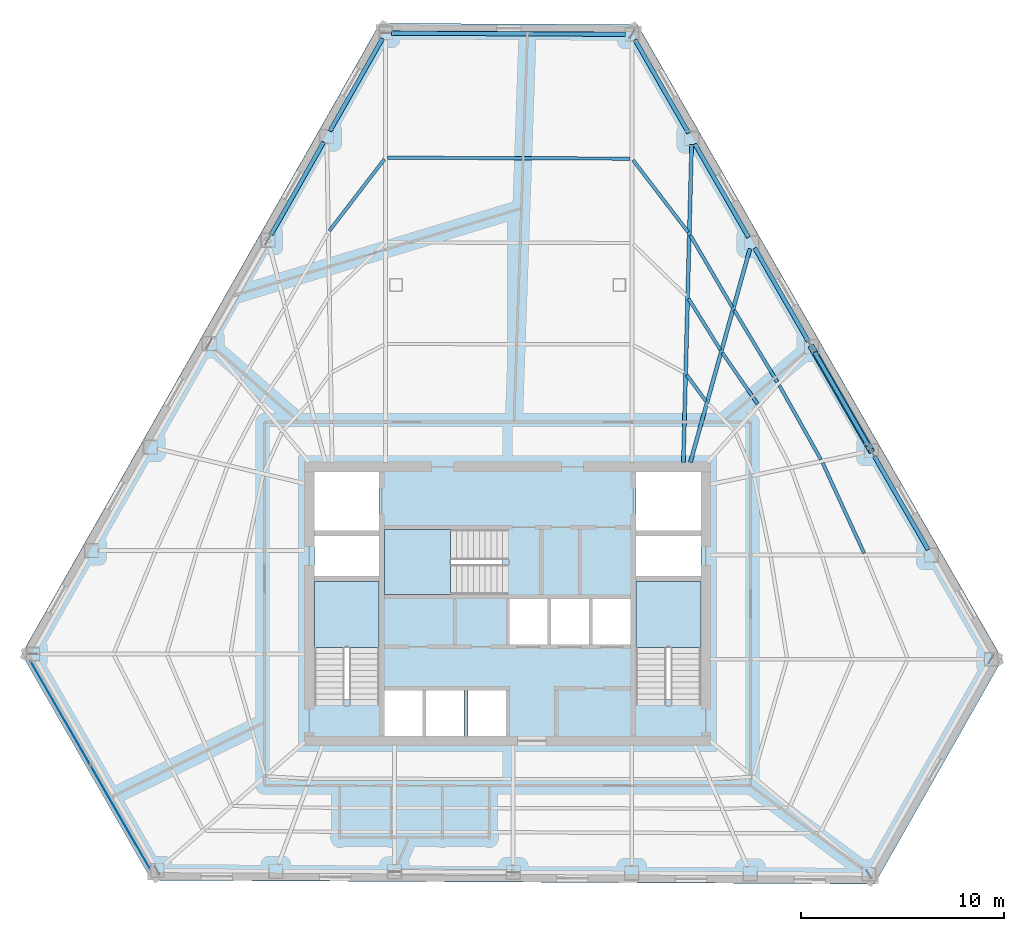
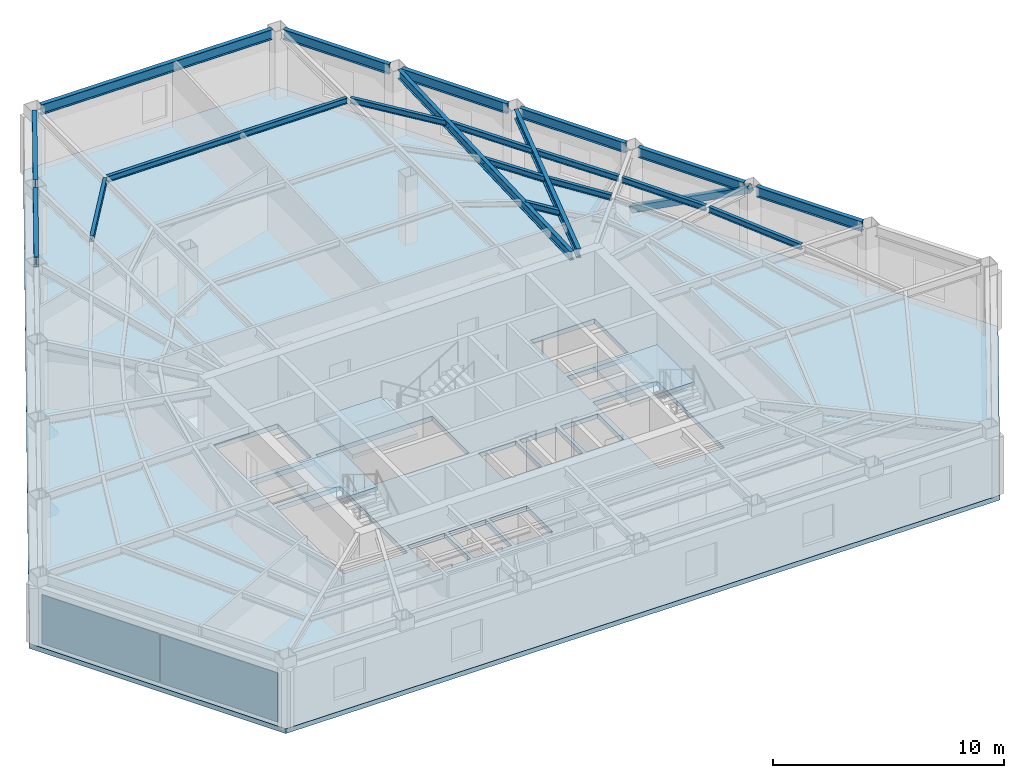
# One storey, part 4 of 13: 20 beams, 4 slabs, 2 plates, 1 member, 4 elements without a shape of their own.
"""IFC4 building model written with IfcOpenShell, lengths in metres."""

from ifc_helpers import new_model, si_unit, direction, frame, origin, origin_2d, place, context, subcontext, project, spatial, polyline, rectangle, hollow_rectangle, i_section, outline, extrude, material, layer, layer_set, material_profile, profile_set, type_object, element, aggregate, save


model = new_model("IFC4")

# Units and contexts
model_context = context("Model", 3, precision=1e-05, world=origin(), true_north=direction((0.0, 1.0)))
body_context = subcontext(model_context, "Body", "Model", "MODEL_VIEW")
ifc_project = project(units=[si_unit("LENGTHUNIT", "METRE"), si_unit("AREAUNIT", "SQUARE_METRE"), si_unit("VOLUMEUNIT", "CUBIC_METRE"), si_unit("PLANEANGLEUNIT", "RADIAN"), si_unit("MASSUNIT", "GRAM", prefix="KILO")], contexts=[model_context])

# Site, building, storey
site_placement = place(None, origin())
site = spatial("IfcSite", under=ifc_project, at=site_placement, CompositionType="ELEMENT")
building_placement = place(site_placement, origin())
building = spatial("IfcBuilding", under=site, at=building_placement, Name="Kavelnor Concourse Tower", CompositionType="ELEMENT")
storey_placement = place(building_placement, frame((0.0, 0.0, 100.89990234375)))
storey = spatial("IfcBuildingStorey", under=building, at=storey_placement, Name="L25", CompositionType="ELEMENT", Elevation=100.89990234375)

# Beams
ifc_material_1 = material(Name="Steel Grade 350", Category="steel")
ifc_material_profile_1 = material_profile(ifc_material_1, i_section(OverallWidth=0.166015625, OverallDepth=0.306884765625, WebThickness=0.006591796875, FlangeThickness=0.01171875, at=origin_2d()), Name="310UB46")
ifc_profile_set_1 = profile_set([ifc_material_profile_1], Name="Steel Grade 350")
beam_type_1 = type_object("IfcBeamType", Name="BM-JOIST-310", PredefinedType="JOIST", material=ifc_profile_set_1)
beam_1_placement = place(storey_placement, frame((55.5625, 18.581787109375, 3.446533203125), z_axis=(-0.417382504058, 0.90873089818, 0.0), x_axis=(-0.90873089818, -0.417382504058, 0.0)))
element("IfcBeam", 1, at=beam_1_placement, inside=storey, type_object=beam_type_1, Name="L25 Secondary Composite Joist 10-3", PredefinedType="JOIST", context=body_context, shape_type="SweptSolid", body=[
    extrude(i_section(OverallWidth=0.166015625, OverallDepth=0.306884765625, WebThickness=0.006591796875, FlangeThickness=0.01171875, at=origin_2d()), origin(), (0.0, 0.0, 1.0), 4.908203125),
])
beam_2_placement = place(storey_placement, frame((53.433349609375, 23.20068359375, 3.446533203125), z_axis=(-0.489388988675, 0.872065604048, 0.0), x_axis=(-0.872065604048, -0.489388988675, 0.0)))
element("IfcBeam", 2, at=beam_2_placement, inside=storey, type_object=beam_type_1, Name="L25 Secondary Composite Joist 11-3", PredefinedType="JOIST", context=body_context, shape_type="SweptSolid", body=[
    extrude(i_section(OverallWidth=0.166015625, OverallDepth=0.306884765625, WebThickness=0.006591796875, FlangeThickness=0.01171875, at=origin_2d()), origin(), (0.0, 0.0, 1.0), 4.200439453125),
])
beam_3_placement = place(storey_placement, frame((50.31640625, 25.939453125, 3.446533203125), z_axis=(-0.568057043562, 0.822989182954, 0.0), x_axis=(-0.822989182954, -0.568057043562, 0.0)))
element("IfcBeam", 3, at=beam_3_placement, inside=storey, type_object=beam_type_1, Name="L25 Secondary Composite Joist 12-2", PredefinedType="JOIST", context=body_context, shape_type="SweptSolid", body=[
    extrude(i_section(OverallWidth=0.166015625, OverallDepth=0.306884765625, WebThickness=0.006591796875, FlangeThickness=0.01171875, at=origin_2d()), origin(), (0.0, 0.0, 1.0), 3.062744140625),
])
beam_4_placement = place(storey_placement, frame((51.288330078125, 27.017578125, 3.446533203125), z_axis=(-0.515060120998, 0.85715405369, 0.0), x_axis=(-0.85715405369, -0.515060120998, 0.0)))
element("IfcBeam", 4, at=beam_4_placement, inside=storey, type_object=beam_type_1, Name="L25 Secondary Composite Joist 12-3", PredefinedType="JOIST", context=body_context, shape_type="SweptSolid", body=[
    extrude(i_section(OverallWidth=0.166015625, OverallDepth=0.306884765625, WebThickness=0.006591796875, FlangeThickness=0.01171875, at=origin_2d()), origin(), (0.0, 0.0, 1.0), 4.13427734375),
])
beam_5_placement = place(storey_placement, frame((47.76904296875, 26.07958984375, 3.446533203125), z_axis=(-0.591231466812, 0.806501923526, 0.0), x_axis=(-0.806501923526, -0.591231466812, 0.0)))
element("IfcBeam", 5, at=beam_5_placement, inside=storey, type_object=beam_type_1, Name="L25 Secondary Composite Joist 13-1", PredefinedType="JOIST", context=body_context, shape_type="SweptSolid", body=[
    extrude(i_section(OverallWidth=0.166015625, OverallDepth=0.306884765625, WebThickness=0.006591796875, FlangeThickness=0.01171875, at=origin_2d()), origin(), (0.0, 0.0, 1.0), 1.601318359375),
])
beam_6_placement = place(storey_placement, frame((48.47900390625, 28.608642578125, 3.446533203125), z_axis=(-0.528101194385, 0.849181446152, 0.0), x_axis=(-0.849181446152, -0.528101194385, 0.0)))
element("IfcBeam", 6, at=beam_6_placement, inside=storey, type_object=beam_type_1, Name="L25 Secondary Composite Joist 13-2", PredefinedType="JOIST", context=body_context, shape_type="SweptSolid", body=[
    extrude(i_section(OverallWidth=0.166015625, OverallDepth=0.306884765625, WebThickness=0.006591796875, FlangeThickness=0.01171875, at=origin_2d()), origin(), (0.0, 0.0, 1.0), 2.96240234375),
])
beam_7_placement = place(storey_placement, frame((49.068115234375, 30.71435546875, 3.446533203125), z_axis=(-0.505575920492, 0.862782121174, 0.0), x_axis=(-0.862782121174, -0.505575920492, 0.0)))
element("IfcBeam", 7, at=beam_7_placement, inside=storey, type_object=beam_type_1, Name="L25 Secondary Composite Joist 13-3", PredefinedType="JOIST", context=body_context, shape_type="SweptSolid", body=[
    extrude(i_section(OverallWidth=0.166015625, OverallDepth=0.306884765625, WebThickness=0.006591796875, FlangeThickness=0.01171875, at=origin_2d()), origin(), (0.0, 0.0, 1.0), 4.102294921875),
])
beam_8_placement = place(storey_placement, frame((46.89501953125, 34.401123046875, 3.446533203125), z_axis=(-0.607764194886, 0.794117550124, 0.0), x_axis=(-0.794117550124, -0.607764194886, 0.0)))
element("IfcBeam", 8, at=beam_8_placement, inside=storey, type_object=beam_type_1, Name="L25 Secondary Composite Joist 14-3", PredefinedType="JOIST", context=body_context, shape_type="SweptSolid", body=[
    extrude(i_section(OverallWidth=0.166015625, OverallDepth=0.306884765625, WebThickness=0.006591796875, FlangeThickness=0.01171875, at=origin_2d()), origin(), (0.0, 0.0, 1.0), 4.471435546875),
])
beam_9_placement = place(storey_placement, frame((44.0341796875, 38.02294921875, 3.446533203125), z_axis=(-0.99999301613, 0.003737337322, 0.0), x_axis=(-0.003737337322, -0.99999301613, 0.0)))
element("IfcBeam", 9, at=beam_9_placement, inside=storey, type_object=beam_type_1, Name="L25 Secondary Composite Joist 15-3", PredefinedType="JOIST", context=body_context, shape_type="SweptSolid", body=[
    extrude(i_section(OverallWidth=0.166015625, OverallDepth=0.306884765625, WebThickness=0.006591796875, FlangeThickness=0.01171875, at=origin_2d()), origin(), (0.0, 0.0, 1.0), 11.954345703125),
])
beam_10_placement = place(storey_placement, frame((31.9365234375, 37.997314453125, 3.446533203125), z_axis=(-0.609050102371, -0.793131749965, 0.0), x_axis=(0.793131749965, -0.609050102371, 0.0)))
element("IfcBeam", 10, at=beam_10_placement, inside=storey, type_object=beam_type_1, Name="L25 Secondary Composite Joist 16-3", PredefinedType="JOIST", context=body_context, shape_type="SweptSolid", body=[
    extrude(i_section(OverallWidth=0.166015625, OverallDepth=0.306884765625, WebThickness=0.006591796875, FlangeThickness=0.01171875, at=origin_2d()), origin(), (0.0, 0.0, 1.0), 4.4482421875),
])
ifc_material_profile_2 = material_profile(ifc_material_1, i_section(OverallWidth=0.18994140625, OverallDepth=0.4541015625, WebThickness=0.008544921875, FlangeThickness=0.0126953125, at=origin_2d()), Name="460UB67")
ifc_profile_set_2 = profile_set([ifc_material_profile_2], Name="Steel Grade 350")
beam_type_2 = type_object("IfcBeamType", Name="BM-PRIMARY-460", PredefinedType="BEAM", material=ifc_profile_set_2)
beam_11_placement = place(storey_placement, frame((46.999755859375, 23.0615234375, 3.373046875), z_axis=(0.268703010086, 0.963223075082, 0.0), x_axis=(-0.963223075082, 0.268703010086, 0.0)))
element("IfcBeam", 11, at=beam_11_placement, inside=storey, type_object=beam_type_2, Name="L25 Primary Floor Girder F2-B4", PredefinedType="BEAM", context=body_context, shape_type="SweptSolid", body=[
    extrude(i_section(OverallWidth=0.18994140625, OverallDepth=0.4541015625, WebThickness=0.008544921875, FlangeThickness=0.0126953125, at=origin_2d()), origin(), (0.0, 0.0, 1.0), 10.924072265625),
])
beam_12_placement = place(storey_placement, frame((46.655517578125, 23.06005859375, 3.373046875), z_axis=(0.026053290724, 0.99966055541, 0.0), x_axis=(-0.99966055541, 0.026053290724, 0.0)))
element("IfcBeam", 12, at=beam_12_placement, inside=storey, type_object=beam_type_2, Name="L25 Primary Floor Girder F2-B5", PredefinedType="BEAM", context=body_context, shape_type="SweptSolid", body=[
    extrude(i_section(OverallWidth=0.18994140625, OverallDepth=0.4541015625, WebThickness=0.008544921875, FlangeThickness=0.0126953125, at=origin_2d()), origin(), (0.0, 0.0, 1.0), 15.65869140625),
])
ifc_material_profile_3 = material_profile(ifc_material_1, i_section(OverallWidth=0.208984375, OverallDepth=0.532958984375, WebThickness=0.01025390625, FlangeThickness=0.015625, at=origin_2d()), Name="530UB92")
ifc_profile_set_3 = profile_set([ifc_material_profile_3], Name="Steel Grade 350")
beam_type_3 = type_object("IfcBeamType", Name="BM-SPANDREL-Z2", PredefinedType="SPANDREL", material=ifc_profile_set_3)
beam_13_placement = place(storey_placement, frame((31.840087890625, 43.939208984375, 3.33349609375), z_axis=(-0.493864017051, -0.869539149585, 0.0), x_axis=(0.869539149585, -0.493864017051, 0.0)))
element("IfcBeam", 13, at=beam_13_placement, inside=storey, type_object=beam_type_3, Name="L25 Perimeter Tube Spandrel Beam F0-B0", PredefinedType="SPANDREL", context=body_context, shape_type="SweptSolid", body=[
    extrude(i_section(OverallWidth=0.208984375, OverallDepth=0.532958984375, WebThickness=0.01025390625, FlangeThickness=0.015625, at=origin_2d()), origin(), (0.0, 0.0, 1.0), 5.2509765625),
])
beam_14_placement = place(storey_placement, frame((28.94580078125, 38.843017578125, 3.33349609375), z_axis=(-0.493879204086, -0.869530523772, 0.0), x_axis=(0.869530523772, -0.493879204086, 0.0)))
element("IfcBeam", 14, at=beam_14_placement, inside=storey, type_object=beam_type_3, Name="L25 Perimeter Tube Spandrel Beam F0-B1", PredefinedType="SPANDREL", context=body_context, shape_type="SweptSolid", body=[
    extrude(i_section(OverallWidth=0.208984375, OverallDepth=0.532958984375, WebThickness=0.01025390625, FlangeThickness=0.015625, at=origin_2d()), origin(), (0.0, 0.0, 1.0), 5.251220703125),
])
beam_15_placement = place(storey_placement, frame((43.818359375, 44.14306640625, 3.33349609375), z_axis=(-0.99998652642, 0.005191047948, 0.0), x_axis=(-0.005191047948, -0.99998652642, 0.0)))
element("IfcBeam", 15, at=beam_15_placement, inside=storey, type_object=beam_type_3, Name="L25 Chamfer Facet Spandrel Beam C0", PredefinedType="SPANDREL", context=body_context, shape_type="SweptSolid", body=[
    extrude(i_section(OverallWidth=0.208984375, OverallDepth=0.532958984375, WebThickness=0.01025390625, FlangeThickness=0.015625, at=origin_2d()), origin(), (0.0, 0.0, 1.0), 11.522705078125),
])
beam_16_placement = place(storey_placement, frame((58.7109375, 18.765380859375, 3.33349609375), z_axis=(-0.498407138833, 0.866943091535, 0.0), x_axis=(-0.866943091535, -0.498407138833, 0.0)))
element("IfcBeam", 16, at=beam_16_placement, inside=storey, type_object=beam_type_3, Name="L25 Perimeter Tube Spandrel Beam F2-B1", PredefinedType="SPANDREL", context=body_context, shape_type="SweptSolid", body=[
    extrude(i_section(OverallWidth=0.208984375, OverallDepth=0.532958984375, WebThickness=0.01025390625, FlangeThickness=0.015625, at=origin_2d()), origin(), (0.0, 0.0, 1.0), 5.304931640625),
])
for number, where, z_axis, x_axis, name in (
    (17, (55.762939453125, 23.893310546875, 3.33349609375), (-0.498332781847, 0.866985835257, 0.0), (-0.866985835257, -0.498332781847, 0.0), "L25 Perimeter Tube Spandrel Beam F2-B2"),
    (18, (52.815185546875, 29.021484375, 3.33349609375), (-0.498387254264, 0.866954522906, 0.0), (-0.866954522906, -0.498387254264, 0.0), "L25 Perimeter Tube Spandrel Beam F2-B3"),
    (19, (49.8671875, 34.149658203125, 3.33349609375), (-0.498387254264, 0.866954522906, 0.0), (-0.866954522906, -0.498387254264, 0.0), "L25 Perimeter Tube Spandrel Beam F2-B4"),
    (20, (46.919189453125, 39.27783203125, 3.33349609375), (-0.498352664623, 0.866974406579, 0.0), (-0.866974406579, -0.498352664623, 0.0), "L25 Perimeter Tube Spandrel Beam F2-B5"),
):
    element("IfcBeam", number, at=place(storey_placement, frame(where, z_axis=z_axis, x_axis=x_axis)), inside=storey, type_object=beam_type_3, Name=name, PredefinedType="SPANDREL", context=body_context, shape_type="SweptSolid", body=[
        extrude(i_section(OverallWidth=0.208984375, OverallDepth=0.532958984375, WebThickness=0.01025390625, FlangeThickness=0.015625, at=origin_2d()), origin(), (0.0, 0.0, 1.0), 5.30517578125),
    ])

# Member
ifc_material_profile_4 = material_profile(ifc_material_1, hollow_rectangle(XDim=0.320068359375, YDim=0.320068359375, WallThickness=0.01806640625, at=origin_2d()), Name="SHS 320x320x18")
ifc_profile_set_4 = profile_set([ifc_material_profile_4], Name="Steel Grade 350")
member_type = type_object("IfcMemberType", Name="MBR-TUBE-DIAG-Z2", PredefinedType="BRACE", material=ifc_profile_set_4)
member_placement = place(storey_placement, frame((52.967041015625, 28.757080078125, 0.22021484375), z_axis=(0.441025707353, -0.76718384952, 0.465752366059), x_axis=(0.866957575774, 0.498381943702, 0.0)))
element("IfcMember", 21, at=member_placement, inside=storey, type_object=member_type, Name="L25 Framed-Tube Bracing Diagonal F2-B2", PredefinedType="BRACE", context=body_context, shape_type="SweptSolid", body=[
    extrude(hollow_rectangle(XDim=0.320068359375, YDim=0.320068359375, WallThickness=0.01806640625, at=origin_2d()), origin(), (0.0, 0.0, 1.0), 6.684326171875),
])

# Curtain wall, plates
ifc_material_2 = material(Name="Anodised aluminium 6063-T6", Category="aluminium")
ifc_layer_1 = layer(ifc_material_2, 0.155029296875, Name="Anodised aluminium 6063-T6")
ifc_layer_set_1 = layer_set([ifc_layer_1], Name="Anodised aluminium 6063-T6")
curtain_wall_type = type_object("IfcCurtainWallType", Name="CW-CORNER-ACCENT", PredefinedType="NOTDEFINED", material=ifc_layer_set_1)
curtain_wall_placement = place(storey_placement, origin())
curtain_wall = element("IfcCurtainWall", 22, at=curtain_wall_placement, inside=storey, type_object=curtain_wall_type, Name="L25 Chamfer Corner Glazed Accent C1", PredefinedType="NOTDEFINED")
ifc_material_3 = material(Name="Double low-E argon insulated glazing", Category="glass")
ifc_layer_2 = layer(ifc_material_3, 0.02587890625, Name="Double low-E argon insulated glazing")
ifc_layer_set_2 = layer_set([ifc_layer_2], Name="Double low-E argon insulated glazing")
plate_type = type_object("IfcPlateType", Name="CW-CORNER-ACCENT-PANEL", PredefinedType="CURTAIN_PANEL", material=ifc_layer_set_2)
plate_1_placement = place(storey_placement, frame((18.929443359375, 5.59375, 0.06005859375), z_axis=(0.0, 0.0, 1.0), x_axis=(-0.498336430137, 0.866983738255, 0.0)))
plate_1 = element("IfcPlate", 23, at=plate_1_placement, type_object=plate_type, Name="L25 Chamfer Corner Glazed Accent C1 Vision Panel 1", PredefinedType="CURTAIN_PANEL", context=body_context, shape_type="SweptSolid", body=[
    extrude(rectangle(XDim=5.868896484375, YDim=0.02587890625, at=origin_2d()), origin(), (0.0, 0.0, 1.0), 2.580078125),
])
plate_2_placement = place(storey_placement, frame((15.977783203125, 10.728759765625, 0.06005859375), z_axis=(0.0, 0.0, 1.0), x_axis=(-0.498336430137, 0.866983738255, 0.0)))
plate_2 = element("IfcPlate", 24, at=plate_2_placement, type_object=plate_type, Name="L25 Chamfer Corner Glazed Accent C1 Vision Panel 2", PredefinedType="CURTAIN_PANEL", context=body_context, shape_type="SweptSolid", body=[
    extrude(rectangle(XDim=5.868896484375, YDim=0.02587890625, at=origin_2d()), origin(), (0.0, 0.0, 1.0), 2.580078125),
])
aggregate(curtain_wall, [plate_1, plate_2])

# Stair, slab
ifc_material_4 = material(Name="Concrete C40/50", Category="concrete")
stair_type = type_object("IfcStairType", Name="STR-CORE-1500", PredefinedType="HALF_TURN_STAIR", material=ifc_material_4)
stair_1_placement = place(storey_placement, origin())
stair_1 = element("IfcStair", 25, at=stair_1_placement, inside=storey, type_object=stair_type, Name="L25 ST1", PredefinedType="HALF_TURN_STAIR")
ifc_layer_3 = layer(ifc_material_4, 0.199951171875, Name="Concrete C40/50")
ifc_layer_set_3 = layer_set([ifc_layer_3], Name="Concrete C40/50")
slab_type_1 = type_object("IfcSlabType", Name="SLB-LANDING-200", PredefinedType="LANDING", material=ifc_layer_set_3)
slab_1_placement = place(storey_placement, frame((0.0, 0.0, 1.72509765625)))
slab_1 = element("IfcSlab", 26, at=slab_1_placement, type_object=slab_type_1, Name="ST1 landing 1", PredefinedType="LANDING", context=body_context, shape_type="SweptSolid", body=[
    extrude(outline(polyline([(31.679931640625, 13.949951171875), (31.679931640625, 17.199951171875), (28.47998046875, 17.199951171875), (28.47998046875, 13.949951171875), (31.679931640625, 13.949951171875)])), origin(), (0.0, 0.0, 1.0), 0.199951171875),
])
aggregate(stair_1, [slab_1])

stair_2_placement = place(storey_placement, origin())
stair_2 = element("IfcStair", 27, at=stair_2_placement, inside=storey, type_object=stair_type, Name="L25 ST2", PredefinedType="HALF_TURN_STAIR")
slab_2_placement = place(storey_placement, frame((0.0, 0.0, 1.72509765625)))
slab_2 = element("IfcSlab", 28, at=slab_2_placement, type_object=slab_type_1, Name="ST2 landing 1", PredefinedType="LANDING", context=body_context, shape_type="SweptSolid", body=[
    extrude(outline(polyline([(47.52001953125, 13.949951171875), (47.52001953125, 17.199951171875), (44.320068359375, 17.199951171875), (44.320068359375, 13.949951171875), (47.52001953125, 13.949951171875)])), origin(), (0.0, 0.0, 1.0), 0.199951171875),
])
aggregate(stair_2, [slab_2])

stair_3_placement = place(storey_placement, origin())
stair_3 = element("IfcStair", 29, at=stair_3_placement, inside=storey, type_object=stair_type, Name="L25 ST3", PredefinedType="HALF_TURN_STAIR")
slab_3_placement = place(storey_placement, frame((0.0, 0.0, 1.72509765625)))
slab_3 = element("IfcSlab", 30, at=slab_3_placement, type_object=slab_type_1, Name="ST3 landing 1", PredefinedType="LANDING", context=body_context, shape_type="SweptSolid", body=[
    extrude(outline(polyline([(35.18994140625, 19.760009765625), (31.93994140625, 19.760009765625), (31.93994140625, 16.56005859375), (35.18994140625, 16.56005859375), (35.18994140625, 19.760009765625)])), origin(), (0.0, 0.0, 1.0), 0.199951171875),
])
aggregate(stair_3, [slab_3])

# Slab
ifc_layer_4 = layer(ifc_material_4, 0.25, Name="Concrete C40/50")
ifc_layer_set_4 = layer_set([ifc_layer_4], Name="Concrete C40/50")
slab_type_2 = type_object("IfcSlabType", Name="SLB-OFFICE-250", PredefinedType="FLOOR", material=ifc_layer_set_4)
slab_4_placement = place(storey_placement, frame((0.0, 0.0, -0.25)))
element("IfcSlab", 31, at=slab_4_placement, inside=storey, type_object=slab_type_2, Name="L25 Composite Structural Floor Slab", PredefinedType="FLOOR", context=body_context, shape_type="SweptSolid", body=[
    extrude(outline(polyline([(44.40185546875, 44.6201171875), (31.712158203125, 44.685791015625), (14.07080078125, 13.625), (20.47265625, 2.48828125), (56.07568359375, 2.303466796875), (62.363525390625, 13.374267578125), (44.40185546875, 44.6201171875)]), holes=[polyline([(28.47998046875, 11.3798828125), (31.679931640625, 11.3798828125), (31.679931640625, 17.199951171875), (28.47998046875, 17.199951171875), (28.47998046875, 11.3798828125)]), polyline([(44.320068359375, 11.3798828125), (47.52001953125, 11.3798828125), (47.52001953125, 17.199951171875), (44.320068359375, 17.199951171875), (44.320068359375, 11.3798828125)]), polyline([(31.93994140625, 16.56005859375), (37.760009765625, 16.56005859375), (37.760009765625, 19.760009765625), (31.93994140625, 19.760009765625), (31.93994140625, 16.56005859375)]), polyline([(28.47998046875, 19.699951171875), (31.679931640625, 19.699951171875), (31.679931640625, 22.60009765625), (28.47998046875, 22.60009765625), (28.47998046875, 19.699951171875)]), polyline([(44.320068359375, 19.699951171875), (47.52001953125, 19.699951171875), (47.52001953125, 22.60009765625), (44.320068359375, 22.60009765625), (44.320068359375, 19.699951171875)]), polyline([(38.090087890625, 14.10009765625), (39.9599609375, 14.10009765625), (39.9599609375, 16.340087890625), (38.090087890625, 16.340087890625), (38.090087890625, 14.10009765625)]), polyline([(40.139892578125, 14.10009765625), (42.010009765625, 14.10009765625), (42.010009765625, 16.340087890625), (40.139892578125, 16.340087890625), (40.139892578125, 14.10009765625)]), polyline([(42.18994140625, 14.10009765625), (44.06005859375, 14.10009765625), (44.06005859375, 16.340087890625), (42.18994140625, 16.340087890625), (42.18994140625, 14.10009765625)]), polyline([(31.93994140625, 9.60009765625), (33.81005859375, 9.60009765625), (33.81005859375, 11.840087890625), (31.93994140625, 11.840087890625), (31.93994140625, 9.60009765625)]), polyline([(33.989990234375, 9.60009765625), (35.860107421875, 9.60009765625), (35.860107421875, 11.840087890625), (33.989990234375, 11.840087890625), (33.989990234375, 9.60009765625)]), polyline([(36.0400390625, 9.60009765625), (37.909912109375, 9.60009765625), (37.909912109375, 11.840087890625), (36.0400390625, 11.840087890625), (36.0400390625, 9.60009765625)]), polyline([(28.47998046875, 17.4599609375), (31.679931640625, 17.4599609375), (31.679931640625, 19.43994140625), (28.47998046875, 19.43994140625), (28.47998046875, 17.4599609375)]), polyline([(44.320068359375, 17.4599609375), (47.52001953125, 17.4599609375), (47.52001953125, 19.43994140625), (44.320068359375, 19.43994140625), (44.320068359375, 17.4599609375)])]), origin(), (0.0, 0.0, 1.0), 0.25),
])

save(model, "model.ifc")
